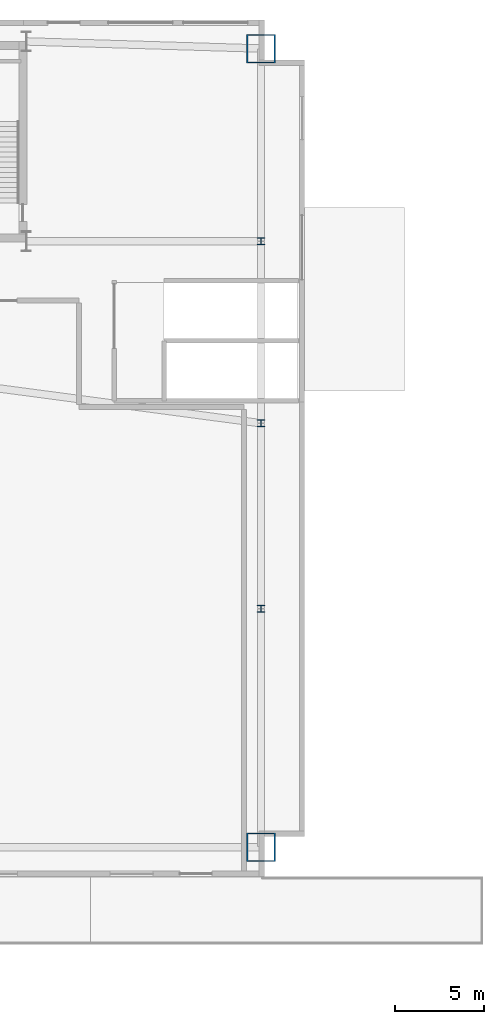
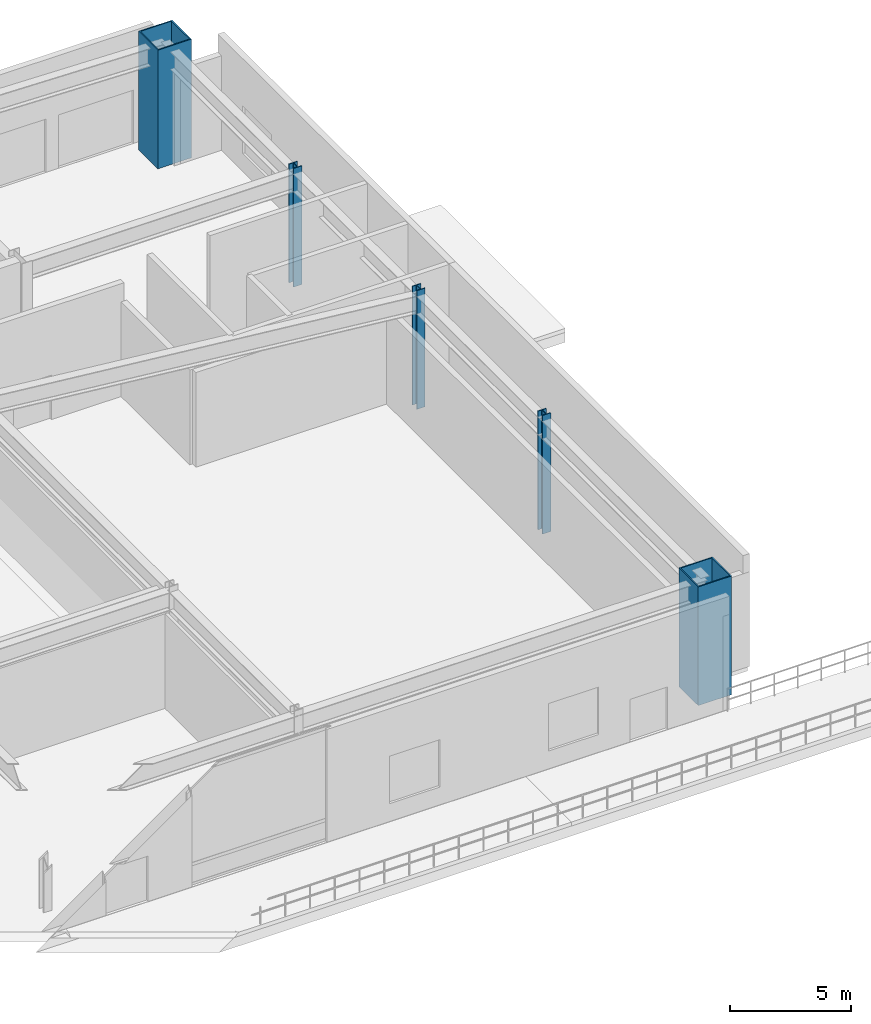
# One storey, part 2 of 17: 5 columns.
"""IFC4 building model written with IfcOpenShell, lengths in metres."""

from ifc_helpers import new_model, si_unit, direction, frame, origin, origin_2d, place, context, subcontext, project, spatial, hollow_rectangle, i_section, extrude, source, transform, mapped, material, material_profile, profile_set, type_object, type_shapes, element, save


model = new_model("IFC4")

# Units and contexts
model_context = context("Model", 3, precision=1e-05, world=origin(), true_north=direction((0.0, 1.0)))
body_context = subcontext(model_context, "Body", "Model", "MODEL_VIEW")
ifc_project = project(units=[si_unit("LENGTHUNIT", "METRE"), si_unit("AREAUNIT", "SQUARE_METRE"), si_unit("VOLUMEUNIT", "CUBIC_METRE"), si_unit("PLANEANGLEUNIT", "RADIAN"), si_unit("MASSUNIT", "GRAM", prefix="KILO")], contexts=[model_context])

# Site, building, storey
site_placement = place(None, origin())
site = spatial("IfcSite", under=ifc_project, at=site_placement, CompositionType="ELEMENT")
building_placement = place(site_placement, origin())
building = spatial("IfcBuilding", under=site, at=building_placement, Name="Varnel Quay Broadcast Tower", CompositionType="ELEMENT")
storey_placement = place(building_placement, origin())
storey = spatial("IfcBuildingStorey", under=building, at=storey_placement, Name="L00", CompositionType="ELEMENT", Elevation=0.0)

# Columns
ifc_material_1 = material(Name="Structural Steel CSA G40.21 350WT", Category="steel")
ifc_material_profile_1 = material_profile(ifc_material_1, hollow_rectangle(XDim=1.60009765625, YDim=1.60009765625, WallThickness=0.06005859375, at=origin_2d()), Name="BOX1600X1600X60")
ifc_profile_set_1 = profile_set([ifc_material_profile_1], Name="Structural Steel CSA G40.21 350WT")
column_type_1 = type_object("IfcColumnType", Name="Col_BOX1600X1600X60", PredefinedType="COLUMN", material=ifc_profile_set_1)
shared_shape_1 = source(origin(), body_context, "Body", "SweptSolid", [
    extrude(hollow_rectangle(XDim=1.60009765625, YDim=1.60009765625, WallThickness=0.06005859375, at=origin_2d()), origin(), (0.0, 0.0, 1.0), 6.0),
])
type_shapes(column_type_1, [shared_shape_1])
for number, where, z_axis, x_axis, name in (
    (1, (65.550048828125, 1.64990234375, 0.0), (0.0, 0.0, 1.0), (1.0, 0.0, 0.0), "L00 Column MC-SE"),
    (2, (65.550048828125, 46.39990234375, 0.0), (0.0, 0.0, 1.0), (1.0, 0.0, 0.0), "L00 Column MC-NE"),
):
    element("IfcColumn", number, at=place(storey_placement, frame(where, z_axis=z_axis, x_axis=x_axis)), inside=storey, type_object=column_type_1, Name=name, PredefinedType="COLUMN", context=body_context, shape_type="MappedRepresentation", body=[
        mapped(shared_shape_1, transform((0.0, 0.0, 0.0), x_axis=(1.0, 0.0, 0.0), y_axis=(0.0, 1.0, 0.0), z_axis=(0.0, 0.0, 1.0), scale=1.0)),
    ])
ifc_material_2 = material(Name="Structural Steel CSA G40.21 350W", Category="steel")
ifc_material_profile_2 = material_profile(ifc_material_2, i_section(OverallWidth=0.404052734375, OverallDepth=0.406982421875, WebThickness=0.027099609375, FlangeThickness=0.043701171875, FilletRadius=0.01806640625, at=origin_2d()), Name="W360X347")
ifc_profile_set_2 = profile_set([ifc_material_profile_2], Name="Structural Steel CSA G40.21 350W")
column_type_2 = type_object("IfcColumnType", Name="Col_W360X347", PredefinedType="COLUMN", material=ifc_profile_set_2)
shared_shape_2 = source(origin(), body_context, "Body", "SweptSolid", [
    extrude(i_section(OverallWidth=0.404052734375, OverallDepth=0.406982421875, WebThickness=0.027099609375, FlangeThickness=0.043701171875, FilletRadius=0.01806640625, at=origin_2d()), origin(), (0.0, 0.0, 1.0), 6.0),
])
type_shapes(column_type_2, [shared_shape_2])
for number, where, z_axis, x_axis, name in (
    (3, (65.550048828125, 15.0, 0.0), (0.0, 0.0, 1.0), (1.0, 0.0, 0.0), "L00 Column PC-12"),
    (4, (65.550048828125, 25.39990234375, 0.0), (0.0, 0.0, 1.0), (1.0, 0.0, 0.0), "L00 Column PC-13"),
    (5, (65.550048828125, 35.60009765625, 0.0), (0.0, 0.0, 1.0), (1.0, 0.0, 0.0), "L00 Column PC-14"),
):
    element("IfcColumn", number, at=place(storey_placement, frame(where, z_axis=z_axis, x_axis=x_axis)), inside=storey, type_object=column_type_2, Name=name, PredefinedType="COLUMN", context=body_context, shape_type="MappedRepresentation", body=[
        mapped(shared_shape_2, transform((0.0, 0.0, 0.0), x_axis=(1.0, 0.0, 0.0), y_axis=(0.0, 1.0, 0.0), z_axis=(0.0, 0.0, 1.0), scale=1.0)),
    ])

save(model, "model.ifc")
